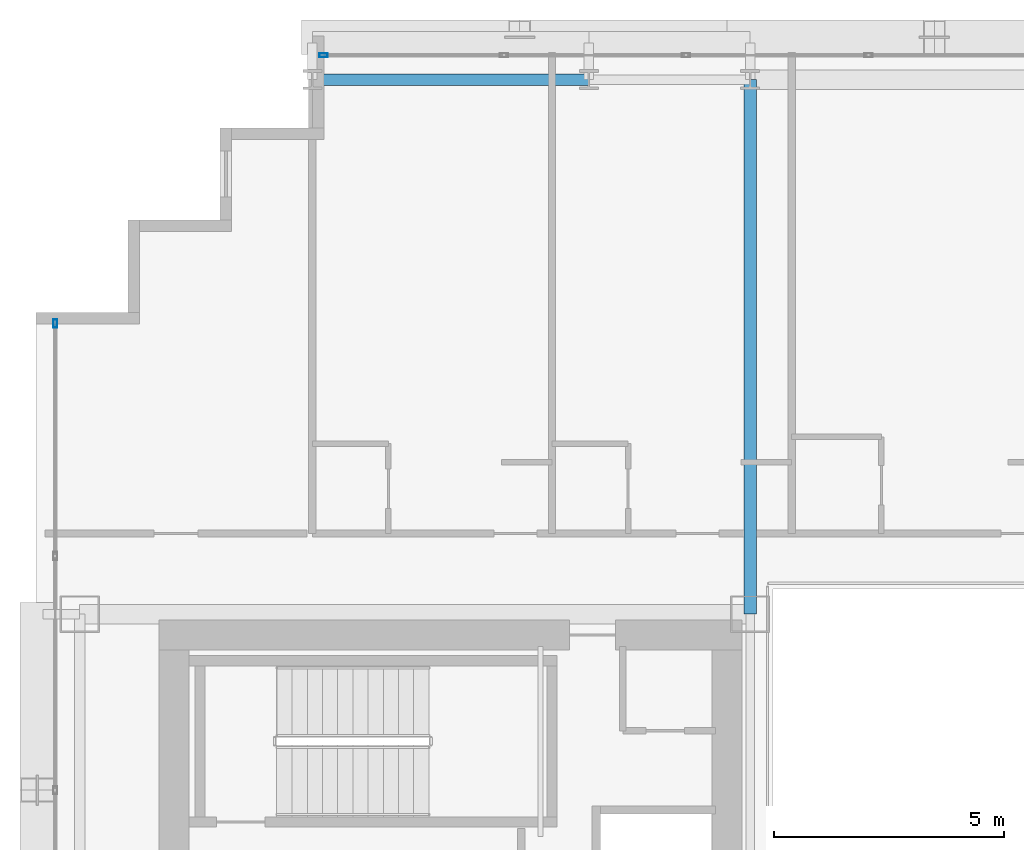
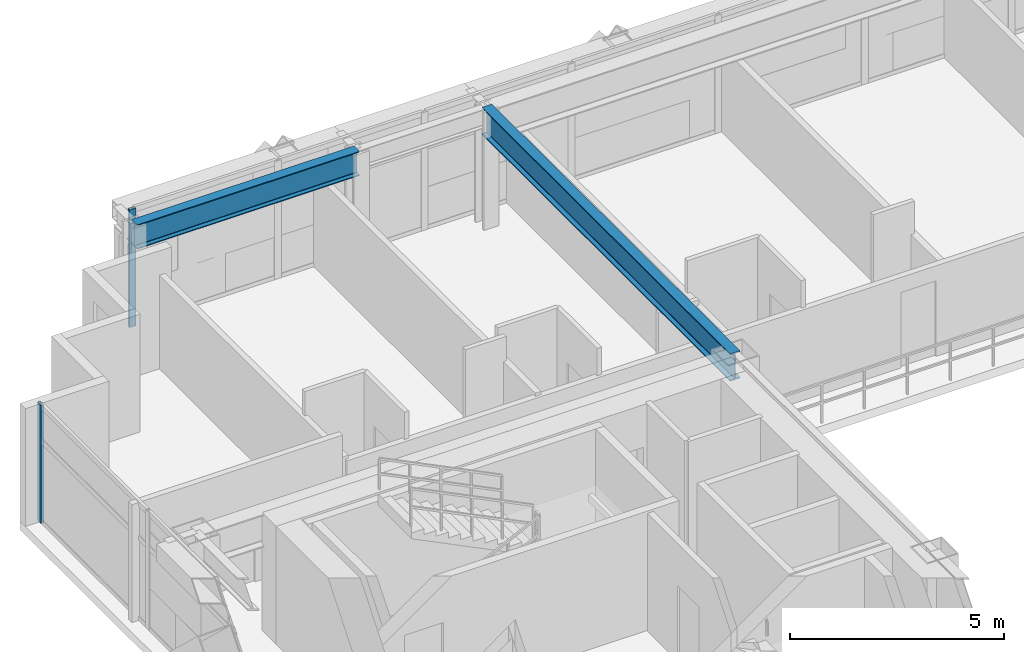
# One storey, part 17 of 36: 2 beams, 2 members, 2 elements without a shape of their own.
"""IFC4 building model written with IfcOpenShell, lengths in metres."""

from ifc_helpers import new_model, si_unit, direction, frame, origin, origin_2d, place, context, subcontext, project, spatial, hollow_rectangle, i_section, extrude, source, transform, mapped, material, layer, layer_set, material_profile, profile_set, type_object, element, aggregate, save


model = new_model("IFC4")

# Units and contexts
model_context = context("Model", 3, precision=1e-05, world=origin(), true_north=direction((0.0, 1.0)))
body_context = subcontext(model_context, "Body", "Model", "MODEL_VIEW")
ifc_project = project(units=[si_unit("LENGTHUNIT", "METRE"), si_unit("AREAUNIT", "SQUARE_METRE"), si_unit("VOLUMEUNIT", "CUBIC_METRE"), si_unit("PLANEANGLEUNIT", "RADIAN"), si_unit("MASSUNIT", "GRAM", prefix="KILO")], contexts=[model_context])

# Site, building, storey
site_placement = place(None, origin())
site = spatial("IfcSite", under=ifc_project, at=site_placement, CompositionType="ELEMENT")
building_placement = place(site_placement, origin())
building = spatial("IfcBuilding", under=site, at=building_placement, Name="Ocotamira Hotel", CompositionType="ELEMENT")
storey_placement = place(building_placement, frame((0.0, 0.0, 97.199951171875)))
storey = spatial("IfcBuildingStorey", under=building, at=storey_placement, Name="L23", CompositionType="ELEMENT", Elevation=97.199951171875)

# Beams
ifc_material_1 = material(Name="Steel ASTM A992 Grade 50", Category="steel")
ifc_material_profile_1 = material_profile(ifc_material_1, i_section(OverallWidth=0.256103515625, OverallDepth=0.693115234375, WebThickness=0.014404296875, FlangeThickness=0.023681640625, FilletRadius=0.01611328125, at=origin_2d()), Name="W27X114")
ifc_profile_set_1 = profile_set([ifc_material_profile_1], Name="Steel ASTM A992 Grade 50")
beam_type_1 = type_object("IfcBeamType", Name="BM-PRIM-W27X114", PredefinedType="BEAM", material=ifc_profile_set_1)
shared_shape_1 = source(origin(), body_context, "Body", "SweptSolid", [
    extrude(i_section(OverallWidth=0.256103515625, OverallDepth=0.693115234375, WebThickness=0.014404296875, FlangeThickness=0.023681640625, FilletRadius=0.01611328125, at=origin_2d()), origin(), (0.0, 0.0, 1.0), 6.0),
])
beam_1_placement = place(storey_placement, frame((14.0, 49.050048828125, 3.013427734375), z_axis=(1.0, 0.0, 0.0), x_axis=(0.0, 1.0, 0.0)))
element("IfcBeam", 1, at=beam_1_placement, inside=storey, type_object=beam_type_1, Name="L23 Girder Y49.05 X14-20", PredefinedType="BEAM", context=body_context, shape_type="MappedRepresentation", body=[
    mapped(shared_shape_1, transform((0.0, 0.0, 0.0), scale=1.0)),
])
ifc_material_profile_2 = material_profile(ifc_material_1, i_section(OverallWidth=0.26611328125, OverallDepth=0.779052734375, WebThickness=0.0166015625, FlangeThickness=0.030029296875, FilletRadius=0.01806640625, at=origin_2d()), Name="W30X148")
ifc_profile_set_2 = profile_set([ifc_material_profile_2], Name="Steel ASTM A992 Grade 50")
beam_type_2 = type_object("IfcBeamType", Name="BM-GIRD-W30X148", PredefinedType="BEAM", material=ifc_profile_set_2)
shared_shape_2 = source(origin(), body_context, "Body", "SweptSolid", [
    extrude(i_section(OverallWidth=0.26611328125, OverallDepth=0.779052734375, WebThickness=0.0166015625, FlangeThickness=0.030029296875, FilletRadius=0.01806640625, at=origin_2d()), origin(), (0.0, 0.0, 1.0), 11.60009765625),
])
beam_2_placement = place(storey_placement, frame((23.5, 37.449951171875, 2.970458984375), z_axis=(0.0, 1.0, 0.0), x_axis=(-1.0, 0.0, 0.0)))
element("IfcBeam", 2, at=beam_2_placement, inside=storey, type_object=beam_type_2, Name="L23 Beam X23.5 Y37.45-49.05", PredefinedType="BEAM", context=body_context, shape_type="MappedRepresentation", body=[
    mapped(shared_shape_2, transform((0.0, 0.0, 0.0), scale=1.0)),
])

# Curtain wall, member
ifc_material_2 = material(Name="Anodised pale-metal aluminium and solar glass", Category="aluminium")
ifc_layer = layer(ifc_material_2, 0.179931640625)
ifc_layer_set = layer_set([ifc_layer], Name="Anodised pale-metal aluminium and solar glass")
curtain_wall_type = type_object("IfcCurtainWallType", Name="CW-SYS3-Z2", PredefinedType="NOTDEFINED", material=ifc_layer_set)
curtain_wall_1_placement = place(storey_placement, origin())
curtain_wall_1 = element("IfcCurtainWall", 3, at=curtain_wall_1_placement, inside=storey, type_object=curtain_wall_type, Name="L23 Curtain Wall CW-3 CW-L23-N", PredefinedType="NOTDEFINED")
ifc_material_3 = material(Name="Anodised pale-metal aluminium 6063-T6", Category="aluminium")
ifc_material_profile_3 = material_profile(ifc_material_3, hollow_rectangle(XDim=0.080078125, YDim=0.179931640625, WallThickness=0.006103515625, at=origin_2d()), Name="HSS180X80X6")
ifc_profile_set_3 = profile_set([ifc_material_profile_3], Name="Anodised pale-metal aluminium 6063-T6")
member_type = type_object("IfcMemberType", Name="CWM-180X75", PredefinedType="MULLION", material=ifc_profile_set_3)
shared_shape_3 = source(origin(), body_context, "Body", "SweptSolid", [
    extrude(hollow_rectangle(XDim=0.080078125, YDim=0.179931640625, WallThickness=0.006103515625, at=origin_2d()), origin(), (0.0, 0.0, 1.0), 3.360107421875),
])
member_1_placement = place(storey_placement, frame((14.239990234375, 49.580078125, 0.0), z_axis=(0.0, 0.0, 1.0), x_axis=(0.0, 1.0, 0.0)))
member_1 = element("IfcMember", 4, at=member_1_placement, type_object=member_type, Name="CW-3 mullion 1", PredefinedType="MULLION", context=body_context, shape_type="MappedRepresentation", body=[
    mapped(shared_shape_3, transform((0.0, 0.0, 0.0), scale=1.0)),
])
aggregate(curtain_wall_1, [member_1])

curtain_wall_2_placement = place(storey_placement, origin())
curtain_wall_2 = element("IfcCurtainWall", 5, at=curtain_wall_2_placement, inside=storey, type_object=curtain_wall_type, Name="L23 Curtain Wall CW-3 CW-L23-W", PredefinedType="NOTDEFINED")
member_2_placement = place(storey_placement, frame((8.419921875, 43.760009765625, 0.0), z_axis=(0.0, 0.0, 1.0), x_axis=(-1.0, 0.0, 0.0)))
member_2 = element("IfcMember", 6, at=member_2_placement, type_object=member_type, Name="CW-3 mullion 8", PredefinedType="MULLION", context=body_context, shape_type="MappedRepresentation", body=[
    mapped(shared_shape_3, transform((0.0, 0.0, 0.0), scale=1.0)),
])
aggregate(curtain_wall_2, [member_2])

save(model, "model.ifc")
